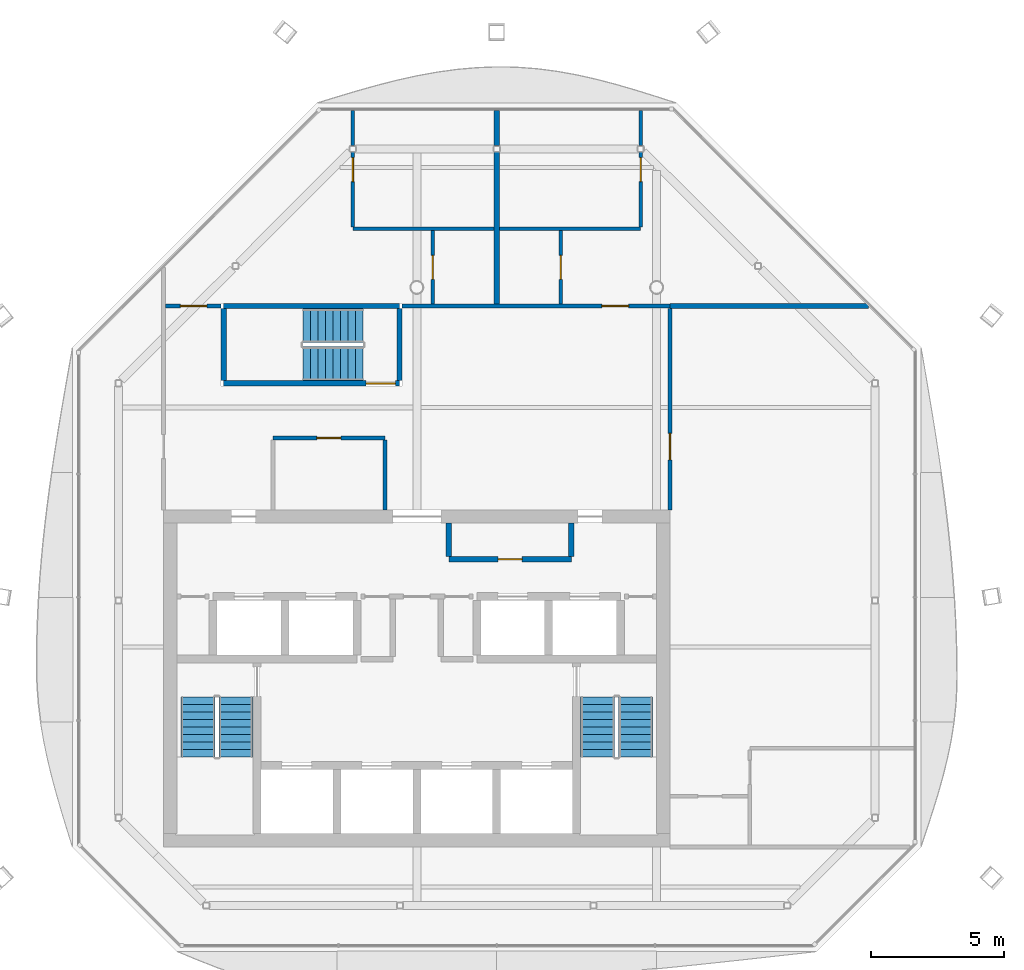
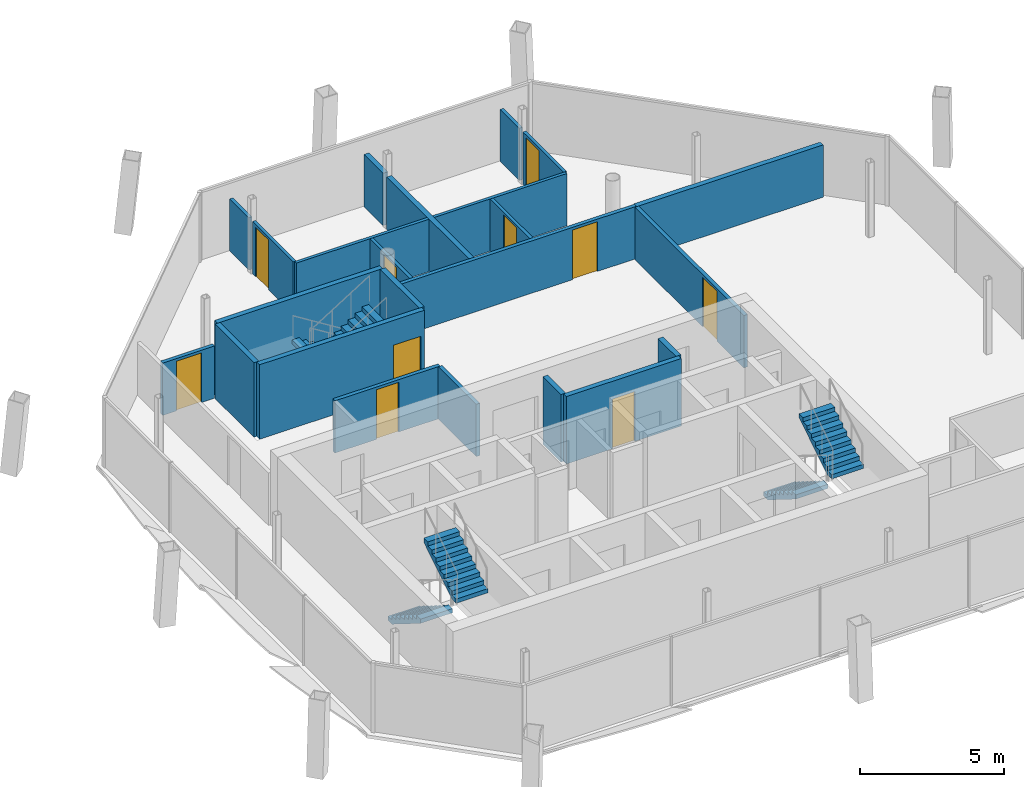
# One storey, part 10 of 13: 22 walls, 10 doors, 6 stair flights, 10 openings, 3 elements without a shape of their own.
"""IFC4 building model written with IfcOpenShell, lengths in metres."""

from ifc_helpers import new_model, si_unit, direction, frame, frame_2d, origin, place, context, subcontext, project, spatial, polyline, rectangle, outline, extrude, material, layer, layer_set, type_object, element, fill, aggregate, save


model = new_model("IFC4")

# Units and contexts
model_context = context("Model", 3, precision=1e-05, world=origin(), true_north=direction((0.0, 1.0)))
body_context = subcontext(model_context, "Body", "Model", "MODEL_VIEW")
ifc_project = project(units=[si_unit("LENGTHUNIT", "METRE"), si_unit("AREAUNIT", "SQUARE_METRE"), si_unit("VOLUMEUNIT", "CUBIC_METRE"), si_unit("PLANEANGLEUNIT", "RADIAN"), si_unit("MASSUNIT", "GRAM", prefix="KILO")], contexts=[model_context])

# Site, building, storey
site_placement = place(None, origin())
site = spatial("IfcSite", under=ifc_project, at=site_placement, CompositionType="ELEMENT")
building_placement = place(site_placement, origin())
building = spatial("IfcBuilding", under=site, at=building_placement, Name="Tskaro Facet Tower", CompositionType="ELEMENT")
storey_placement = place(building_placement, frame((0.0, 0.0, 281.550048828125)))
storey = spatial("IfcBuildingStorey", under=building, at=storey_placement, Name="L75", CompositionType="ELEMENT", Elevation=281.550048828125)

# Wall, opening, door
ifc_material_1 = material(Name="Concrete C20/25", Category="concrete")
ifc_layer_1 = layer(ifc_material_1, 0.199951171875, Name="Concrete C20/25")
ifc_layer_set_1 = layer_set([ifc_layer_1], Name="Concrete C20/25")
wall_type_1 = type_object("IfcWallType", Name="CORE-WALL", PredefinedType="SOLIDWALL", material=ifc_layer_set_1)
wall_1_placement = place(storey_placement, frame((1.199951171875, -1.199951171875, 0.0), z_axis=(0.0, 0.0, 1.0), x_axis=(1.0, 0.0, 0.0)))
wall_1 = element("IfcWall", 1, at=wall_1_placement, inside=storey, type_object=wall_type_1, Name="Core room wall W014", PredefinedType="SOLIDWALL", context=body_context, shape_type="SweptSolid", body=[
    extrude(rectangle(XDim=4.60009765625, YDim=0.199951171875, at=frame_2d((2.300048828125, 0.0))), origin(), (0.0, 0.0, 1.0), 2.849853515625),
])
opening_1_placement = place(wall_1_placement, frame((1.85009765625, 0.0, 0.0)))
opening_1 = element("IfcOpeningElement", 2, at=opening_1_placement, cuts=wall_1, Name="Opening T22-D07", PredefinedType="OPENING", context=body_context, shape_type="SweptSolid", body=[
    extrude(rectangle(XDim=0.89990234375, YDim=2.10009765625, at=frame_2d((0.449951171875, 1.050048828125))), frame((0.0, 0.10986328125, 0.0), z_axis=(0.0, -1.0, 0.0), x_axis=(1.0, 0.0, 0.0)), (0.0, 0.0, 1.0), 0.219970703125),
])
ifc_material_2 = material(Name="Timber", Category="wood")
door_type_1 = type_object("IfcDoorType", Name="D-ROOM", OperationType="NOTDEFINED", PredefinedType="DOOR", material=ifc_material_2)
door_1_placement = place(opening_1_placement, origin())
door_1 = element("IfcDoor", 3, at=door_1_placement, inside=storey, type_object=door_type_1, Name="Door T22-D07", OperationType="SINGLE_SWING_LEFT", OverallHeight=2.10009765625, OverallWidth=0.89990234375, PredefinedType="DOOR", context=body_context, shape_type="SweptSolid", body=[
    extrude(rectangle(XDim=0.89990234375, YDim=2.10009765625, at=frame_2d((0.449951171875, 1.050048828125))), frame((0.0, 0.02490234375, 0.0), z_axis=(0.0, -1.0, 0.0), x_axis=(1.0, 0.0, 0.0)), (0.0, 0.0, 1.0), 0.050048828125),
])
fill(opening_1, door_1)

# Walls
for number, where, z_axis, x_axis, name in (
    (4, (1.199951171875, -1.10009765625, 0.0), (0.0, 0.0, 1.0), (0.0, 1.0, 0.0), "Core room wall W038"),
    (5, (5.800048828125, -1.10009765625, 0.0), (0.0, 0.0, 1.0), (0.0, 1.0, 0.0), "Core room wall W045"),
):
    element("IfcWall", number, at=place(storey_placement, frame(where, z_axis=z_axis, x_axis=x_axis)), inside=storey, type_object=wall_type_1, Name=name, PredefinedType="SOLIDWALL", context=body_context, shape_type="SweptSolid", body=[
        extrude(rectangle(XDim=1.25, YDim=0.199951171875, at=frame_2d((0.625, 0.0))), origin(), (0.0, 0.0, 1.0), 2.849853515625),
    ])
ifc_material_3 = material(Name="Gypsum board on steel studs", Category="steel")
ifc_layer_2 = layer(ifc_material_3, 0.125, Name="Gypsum board on steel studs")
ifc_layer_set_2 = layer_set([ifc_layer_2], Name="Gypsum board on steel studs")
wall_type_2 = type_object("IfcWallType", Name="PART", PredefinedType="PARTITIONING", material=ifc_layer_set_2)
wall_2_placement = place(storey_placement, frame((-2.39990234375, 11.199951171875, 0.0), z_axis=(0.0, 0.0, 1.0), x_axis=(1.0, 0.0, 0.0)))
element("IfcWall", 6, at=wall_2_placement, inside=storey, type_object=wall_type_2, Name="Partition W021", PredefinedType="PARTITIONING", context=body_context, shape_type="SweptSolid", body=[
    extrude(rectangle(XDim=10.804931640625, YDim=0.125, at=frame_2d((5.40234375, 0.0))), origin(), (0.0, 0.0, 1.0), 2.2099609375),
])

# Wall, opening, door
wall_3_placement = place(storey_placement, frame((-2.39990234375, 14.074951171875, 0.0), z_axis=(0.0, 0.0, 1.0), x_axis=(0.0, -1.0, 0.0)))
wall_3 = element("IfcWall", 7, at=wall_3_placement, inside=storey, type_object=wall_type_2, Name="Partition W029", PredefinedType="PARTITIONING", context=body_context, shape_type="SweptSolid", body=[
    extrude(rectangle(XDim=2.8125, YDim=0.125, at=frame_2d((1.40625, 0.0))), origin(), (0.0, 0.0, 1.0), 2.2099609375),
])
opening_2_placement = place(wall_3_placement, frame((0.200927734375, 0.0, 0.0)))
opening_2 = element("IfcOpeningElement", 8, at=opening_2_placement, cuts=wall_3, Name="Opening T22-D18", PredefinedType="OPENING", context=body_context, shape_type="SweptSolid", body=[
    extrude(rectangle(XDim=0.89990234375, YDim=2.10009765625, at=frame_2d((0.449951171875, 1.050048828125))), frame((0.0, 0.072509765625, 0.0), z_axis=(0.0, -1.0, 0.0), x_axis=(1.0, 0.0, 0.0)), (0.0, 0.0, 1.0), 0.14501953125),
])
door_2_placement = place(opening_2_placement, origin())
door_2 = element("IfcDoor", 9, at=door_2_placement, inside=storey, type_object=door_type_1, Name="Door T22-D18", OperationType="SINGLE_SWING_RIGHT", OverallHeight=2.10009765625, OverallWidth=0.89990234375, PredefinedType="DOOR", context=body_context, shape_type="SweptSolid", body=[
    extrude(rectangle(XDim=0.89990234375, YDim=2.10009765625, at=frame_2d((0.449951171875, 1.050048828125))), frame((0.0, 0.02490234375, 0.0), z_axis=(0.0, -1.0, 0.0), x_axis=(1.0, 0.0, 0.0)), (0.0, 0.0, 1.0), 0.050048828125),
])
fill(opening_2, door_2)

# Wall
wall_4_placement = place(storey_placement, frame((-2.39990234375, 14.324951171875, 0.0), z_axis=(0.0, 0.0, 1.0), x_axis=(0.0, 1.0, 0.0)))
element("IfcWall", 10, at=wall_4_placement, inside=storey, type_object=wall_type_2, Name="Partition W030", PredefinedType="PARTITIONING", context=body_context, shape_type="SweptSolid", body=[
    extrude(rectangle(XDim=1.322998046875, YDim=0.125, at=frame_2d((0.66162109375, 0.0))), origin(), (0.0, 0.0, 1.0), 2.2099609375),
])

# Wall, opening, door
wall_5_placement = place(storey_placement, frame((0.60009765625, 11.137451171875, 0.0), z_axis=(0.0, 0.0, 1.0), x_axis=(0.0, -1.0, 0.0)))
wall_5 = element("IfcWall", 11, at=wall_5_placement, inside=storey, type_object=wall_type_2, Name="Partition W036", PredefinedType="PARTITIONING", context=body_context, shape_type="SweptSolid", body=[
    extrude(rectangle(XDim=2.762451171875, YDim=0.125, at=frame_2d((1.38134765625, 0.0))), origin(), (0.0, 0.0, 1.0), 2.2099609375),
])
opening_3_placement = place(wall_5_placement, frame((0.9375, 0.0, 0.0)))
opening_3 = element("IfcOpeningElement", 12, at=opening_3_placement, cuts=wall_5, Name="Opening T22-D16", PredefinedType="OPENING", context=body_context, shape_type="SweptSolid", body=[
    extrude(rectangle(XDim=0.89990234375, YDim=2.10009765625, at=frame_2d((0.449951171875, 1.050048828125))), frame((0.0, 0.072509765625, 0.0), z_axis=(0.0, -1.0, 0.0), x_axis=(1.0, 0.0, 0.0)), (0.0, 0.0, 1.0), 0.14501953125),
])
door_3_placement = place(opening_3_placement, origin())
door_3 = element("IfcDoor", 13, at=door_3_placement, inside=storey, type_object=door_type_1, Name="Door T22-D16", OperationType="SINGLE_SWING_RIGHT", OverallHeight=2.10009765625, OverallWidth=0.89990234375, PredefinedType="DOOR", context=body_context, shape_type="SweptSolid", body=[
    extrude(rectangle(XDim=0.89990234375, YDim=2.10009765625, at=frame_2d((0.449951171875, 1.050048828125))), frame((0.0, 0.02490234375, 0.0), z_axis=(0.0, -1.0, 0.0), x_axis=(1.0, 0.0, 0.0)), (0.0, 0.0, 1.0), 0.050048828125),
])
fill(opening_3, door_3)

wall_6_placement = place(storey_placement, frame((5.39990234375, 8.375, 0.0), z_axis=(0.0, 0.0, 1.0), x_axis=(0.0, 1.0, 0.0)))
wall_6 = element("IfcWall", 14, at=wall_6_placement, inside=storey, type_object=wall_type_2, Name="Partition W044", PredefinedType="PARTITIONING", context=body_context, shape_type="SweptSolid", body=[
    extrude(rectangle(XDim=2.762451171875, YDim=0.125, at=frame_2d((1.38134765625, 0.0))), origin(), (0.0, 0.0, 1.0), 2.2099609375),
])
opening_4_placement = place(wall_6_placement, frame((0.925048828125, 0.0, 0.0)))
opening_4 = element("IfcOpeningElement", 15, at=opening_4_placement, cuts=wall_6, Name="Opening T22-D17", PredefinedType="OPENING", context=body_context, shape_type="SweptSolid", body=[
    extrude(rectangle(XDim=0.89990234375, YDim=2.10009765625, at=frame_2d((0.449951171875, 1.050048828125))), frame((0.0, 0.072509765625, 0.0), z_axis=(0.0, -1.0, 0.0), x_axis=(1.0, 0.0, 0.0)), (0.0, 0.0, 1.0), 0.14501953125),
])
door_4_placement = place(opening_4_placement, origin())
door_4 = element("IfcDoor", 16, at=door_4_placement, inside=storey, type_object=door_type_1, Name="Door T22-D17", OperationType="SINGLE_SWING_LEFT", OverallHeight=2.10009765625, OverallWidth=0.89990234375, PredefinedType="DOOR", context=body_context, shape_type="SweptSolid", body=[
    extrude(rectangle(XDim=0.89990234375, YDim=2.10009765625, at=frame_2d((0.449951171875, 1.050048828125))), frame((0.0, 0.02490234375, 0.0), z_axis=(0.0, -1.0, 0.0), x_axis=(1.0, 0.0, 0.0)), (0.0, 0.0, 1.0), 0.050048828125),
])
fill(opening_4, door_4)

wall_7_placement = place(storey_placement, frame((8.405029296875, 11.262451171875, 0.0), z_axis=(0.0, 0.0, 1.0), x_axis=(0.0, 1.0, 0.0)))
wall_7 = element("IfcWall", 17, at=wall_7_placement, inside=storey, type_object=wall_type_2, Name="Partition W048", PredefinedType="PARTITIONING", context=body_context, shape_type="SweptSolid", body=[
    extrude(rectangle(XDim=2.8125, YDim=0.125, at=frame_2d((1.40625, 0.0))), origin(), (0.0, 0.0, 1.0), 2.2099609375),
])
opening_5_placement = place(wall_7_placement, frame((1.71142578125, 0.0, 0.0)))
opening_5 = element("IfcOpeningElement", 18, at=opening_5_placement, cuts=wall_7, Name="Opening T22-D19", PredefinedType="OPENING", context=body_context, shape_type="SweptSolid", body=[
    extrude(rectangle(XDim=0.89990234375, YDim=2.10009765625, at=frame_2d((0.449951171875, 1.050048828125))), frame((0.0, 0.072509765625, 0.0), z_axis=(0.0, -1.0, 0.0), x_axis=(1.0, 0.0, 0.0)), (0.0, 0.0, 1.0), 0.14501953125),
])
door_5_placement = place(opening_5_placement, origin())
door_5 = element("IfcDoor", 19, at=door_5_placement, inside=storey, type_object=door_type_1, Name="Door T22-D19", OperationType="SINGLE_SWING_LEFT", OverallHeight=2.10009765625, OverallWidth=0.89990234375, PredefinedType="DOOR", context=body_context, shape_type="SweptSolid", body=[
    extrude(rectangle(XDim=0.89990234375, YDim=2.10009765625, at=frame_2d((0.449951171875, 1.050048828125))), frame((0.0, 0.02490234375, 0.0), z_axis=(0.0, -1.0, 0.0), x_axis=(1.0, 0.0, 0.0)), (0.0, 0.0, 1.0), 0.050048828125),
])
fill(opening_5, door_5)

# Wall
wall_8_placement = place(storey_placement, frame((8.405029296875, 14.324951171875, 0.0), z_axis=(0.0, 0.0, 1.0), x_axis=(0.0, 1.0, 0.0)))
element("IfcWall", 20, at=wall_8_placement, inside=storey, type_object=wall_type_2, Name="Partition W049", PredefinedType="PARTITIONING", context=body_context, shape_type="SweptSolid", body=[
    extrude(rectangle(XDim=1.322998046875, YDim=0.125, at=frame_2d((0.66162109375, 0.0))), origin(), (0.0, 0.0, 1.0), 2.2099609375),
])

# Wall, opening, door
ifc_layer_3 = layer(ifc_material_3, 0.14990234375, Name="Gypsum board on steel studs")
ifc_layer_set_3 = layer_set([ifc_layer_3], Name="Gypsum board on steel studs")
wall_type_3 = type_object("IfcWallType", Name="PART-CORR", PredefinedType="PARTITIONING", material=ifc_layer_set_3)
wall_9_placement = place(storey_placement, frame((-1.199951171875, 3.35009765625, 0.0), z_axis=(0.0, 0.0, 1.0), x_axis=(-1.0, 0.0, 0.0)))
wall_9 = element("IfcWall", 21, at=wall_9_placement, inside=storey, type_object=wall_type_3, Name="Corridor wall W015", PredefinedType="PARTITIONING", context=body_context, shape_type="SweptSolid", body=[
    extrude(rectangle(XDim=4.199951171875, YDim=0.14990234375, at=frame_2d((2.10009765625, 0.0))), origin(), (0.0, 0.0, 1.0), 2.2099609375),
])
opening_6_placement = place(wall_9_placement, frame((1.64990234375, 0.0, 0.0)))
opening_6 = element("IfcOpeningElement", 22, at=opening_6_placement, cuts=wall_9, Name="Opening T22-D13", PredefinedType="OPENING", context=body_context, shape_type="SweptSolid", body=[
    extrude(rectangle(XDim=0.89990234375, YDim=2.10009765625, at=frame_2d((0.449951171875, 1.050048828125))), frame((0.0, 0.0849609375, 0.0), z_axis=(0.0, -1.0, 0.0), x_axis=(1.0, 0.0, 0.0)), (0.0, 0.0, 1.0), 0.169921875),
])
door_6_placement = place(opening_6_placement, origin())
door_6 = element("IfcDoor", 23, at=door_6_placement, inside=storey, type_object=door_type_1, Name="Door T22-D13", OperationType="SINGLE_SWING_RIGHT", OverallHeight=2.10009765625, OverallWidth=0.89990234375, PredefinedType="DOOR", context=body_context, shape_type="SweptSolid", body=[
    extrude(rectangle(XDim=0.89990234375, YDim=2.10009765625, at=frame_2d((0.449951171875, 1.050048828125))), frame((0.0, 0.02490234375, 0.0), z_axis=(0.0, -1.0, 0.0), x_axis=(1.0, 0.0, 0.0)), (0.0, 0.0, 1.0), 0.050048828125),
])
fill(opening_6, door_6)

wall_10_placement = place(storey_placement, frame((-9.425048828125, 8.300048828125, 0.0), z_axis=(0.0, 0.0, 1.0), x_axis=(1.0, 0.0, 0.0)))
wall_10 = element("IfcWall", 24, at=wall_10_placement, inside=storey, type_object=wall_type_3, Name="Corridor wall W017", PredefinedType="PARTITIONING", context=body_context, shape_type="SweptSolid", body=[
    extrude(rectangle(XDim=2.074951171875, YDim=0.14990234375, at=frame_2d((1.03759765625, 0.0))), origin(), (0.0, 0.0, 1.0), 2.2099609375),
])
opening_7_placement = place(wall_10_placement, frame((0.550048828125, 0.0, 0.0)))
opening_7 = element("IfcOpeningElement", 25, at=opening_7_placement, cuts=wall_10, Name="Opening T22-D14", PredefinedType="OPENING", context=body_context, shape_type="SweptSolid", body=[
    extrude(rectangle(XDim=1.0, YDim=2.10009765625, at=frame_2d((0.5, 1.050048828125))), frame((0.0, 0.0849609375, 0.0), z_axis=(0.0, -1.0, 0.0), x_axis=(1.0, 0.0, 0.0)), (0.0, 0.0, 1.0), 0.169921875),
])
door_type_2 = type_object("IfcDoorType", Name="D-FLAT-ENTRY", OperationType="NOTDEFINED", PredefinedType="DOOR", material=ifc_material_2)
door_7_placement = place(opening_7_placement, origin())
door_7 = element("IfcDoor", 26, at=door_7_placement, inside=storey, type_object=door_type_2, Name="Door T22-D14", OperationType="SINGLE_SWING_LEFT", OverallHeight=2.10009765625, OverallWidth=1.0, PredefinedType="DOOR", context=body_context, shape_type="SweptSolid", body=[
    extrude(rectangle(XDim=1.0, YDim=2.10009765625, at=frame_2d((0.5, 1.050048828125))), frame((0.0, 0.02490234375, 0.0), z_axis=(0.0, -1.0, 0.0), x_axis=(1.0, 0.0, 0.0)), (0.0, 0.0, 1.0), 0.050048828125),
])
fill(opening_7, door_7)

wall_11_placement = place(storey_placement, frame((-0.550048828125, 8.300048828125, 0.0), z_axis=(0.0, 0.0, 1.0), x_axis=(1.0, 0.0, 0.0)))
wall_11 = element("IfcWall", 27, at=wall_11_placement, inside=storey, type_object=wall_type_3, Name="Corridor wall W019", PredefinedType="PARTITIONING", context=body_context, shape_type="SweptSolid", body=[
    extrude(rectangle(XDim=10.050048828125, YDim=0.14990234375, at=frame_2d((5.02490234375, 0.0))), origin(), (0.0, 0.0, 1.0), 2.2099609375),
])
opening_8_placement = place(wall_11_placement, frame((7.5, 0.0, 0.0)))
opening_8 = element("IfcOpeningElement", 28, at=opening_8_placement, cuts=wall_11, Name="Opening T22-D15", PredefinedType="OPENING", context=body_context, shape_type="SweptSolid", body=[
    extrude(rectangle(XDim=1.0, YDim=2.10009765625, at=frame_2d((0.5, 1.050048828125))), frame((0.0, 0.0849609375, 0.0), z_axis=(0.0, -1.0, 0.0), x_axis=(1.0, 0.0, 0.0)), (0.0, 0.0, 1.0), 0.169921875),
])
door_8_placement = place(opening_8_placement, origin())
door_8 = element("IfcDoor", 29, at=door_8_placement, inside=storey, type_object=door_type_2, Name="Door T22-D15", OperationType="SINGLE_SWING_LEFT", OverallHeight=2.10009765625, OverallWidth=1.0, PredefinedType="DOOR", context=body_context, shape_type="SweptSolid", body=[
    extrude(rectangle(XDim=1.0, YDim=2.10009765625, at=frame_2d((0.5, 1.050048828125))), frame((0.0, 0.02490234375, 0.0), z_axis=(0.0, -1.0, 0.0), x_axis=(1.0, 0.0, 0.0)), (0.0, 0.0, 1.0), 0.050048828125),
])
fill(opening_8, door_8)

# Wall
wall_12_placement = place(storey_placement, frame((-1.199951171875, 0.64990234375, 0.0), z_axis=(0.0, 0.0, 1.0), x_axis=(0.0, 1.0, 0.0)))
element("IfcWall", 30, at=wall_12_placement, inside=storey, type_object=wall_type_3, Name="Corridor wall W032", PredefinedType="PARTITIONING", context=body_context, shape_type="SweptSolid", body=[
    extrude(rectangle(XDim=2.625, YDim=0.14990234375, at=frame_2d((1.3125, 0.0))), origin(), (0.0, 0.0, 1.0), 2.2099609375),
])

# Wall, opening, door
wall_13_placement = place(storey_placement, frame((9.5, 8.199951171875, 0.0), z_axis=(0.0, 0.0, 1.0), x_axis=(0.0, -1.0, 0.0)))
wall_13 = element("IfcWall", 31, at=wall_13_placement, inside=storey, type_object=wall_type_3, Name="Corridor wall W050", PredefinedType="PARTITIONING", context=body_context, shape_type="SweptSolid", body=[
    extrude(rectangle(XDim=7.550048828125, YDim=0.14990234375, at=frame_2d((3.77490234375, 0.0))), origin(), (0.0, 0.0, 1.0), 2.2099609375),
])
opening_9_placement = place(wall_13_placement, frame((4.675048828125, 0.0, 0.0)))
opening_9 = element("IfcOpeningElement", 32, at=opening_9_placement, cuts=wall_13, Name="Opening T22-D12", PredefinedType="OPENING", context=body_context, shape_type="SweptSolid", body=[
    extrude(rectangle(XDim=1.0, YDim=2.10009765625, at=frame_2d((0.5, 1.050048828125))), frame((0.0, 0.0849609375, 0.0), z_axis=(0.0, -1.0, 0.0), x_axis=(1.0, 0.0, 0.0)), (0.0, 0.0, 1.0), 0.169921875),
])
door_9_placement = place(opening_9_placement, origin())
door_9 = element("IfcDoor", 33, at=door_9_placement, inside=storey, type_object=door_type_2, Name="Door T22-D12", OperationType="SINGLE_SWING_LEFT", OverallHeight=2.10009765625, OverallWidth=1.0, PredefinedType="DOOR", context=body_context, shape_type="SweptSolid", body=[
    extrude(rectangle(XDim=1.0, YDim=2.10009765625, at=frame_2d((0.5, 1.050048828125))), frame((0.0, 0.02490234375, 0.0), z_axis=(0.0, -1.0, 0.0), x_axis=(1.0, 0.0, 0.0)), (0.0, 0.0, 1.0), 0.050048828125),
])
fill(opening_9, door_9)

# Walls
ifc_layer_4 = layer(ifc_material_3, 0.199951171875, Name="Gypsum board on steel studs")
ifc_layer_set_4 = layer_set([ifc_layer_4], Name="Gypsum board on steel studs")
wall_type_4 = type_object("IfcWallType", Name="PART-DEMISING", PredefinedType="PARTITIONING", material=ifc_layer_set_4)
wall_14_placement = place(storey_placement, frame((9.5, 8.300048828125, 0.0), z_axis=(0.0, 0.0, 1.0), x_axis=(1.0, 0.0, 0.0)))
element("IfcWall", 34, at=wall_14_placement, inside=storey, type_object=wall_type_4, Name="Guest room wall W020", PredefinedType="PARTITIONING", context=body_context, shape_type="SweptSolid", body=[
    extrude(rectangle(XDim=7.4541015625, YDim=0.199951171875, at=frame_2d((3.72705078125, 0.0))), origin(), (0.0, 0.0, 1.0), 2.2099609375),
])
wall_15_placement = place(storey_placement, frame((3.0, 8.375, 0.0), z_axis=(0.0, 0.0, 1.0), x_axis=(0.0, 1.0, 0.0)))
element("IfcWall", 35, at=wall_15_placement, inside=storey, type_object=wall_type_4, Name="Guest room wall W041", PredefinedType="PARTITIONING", context=body_context, shape_type="SweptSolid", body=[
    extrude(rectangle(XDim=5.699951171875, YDim=0.199951171875, at=frame_2d((2.85009765625, 0.0))), origin(), (0.0, 0.0, 1.0), 2.2099609375),
])
wall_16_placement = place(storey_placement, frame((3.0, 14.324951171875, 0.0), z_axis=(0.0, 0.0, 1.0), x_axis=(0.0, 1.0, 0.0)))
element("IfcWall", 36, at=wall_16_placement, inside=storey, type_object=wall_type_4, Name="Guest room wall W042", PredefinedType="PARTITIONING", context=body_context, shape_type="SweptSolid", body=[
    extrude(rectangle(XDim=1.322998046875, YDim=0.199951171875, at=frame_2d((0.66162109375, 0.0))), origin(), (0.0, 0.0, 1.0), 2.2099609375),
])

# Wall, opening, door
ifc_material_4 = material(Name="Concrete C60/75", Category="concrete")
ifc_layer_5 = layer(ifc_material_4, 0.199951171875, Name="Concrete C60/75")
ifc_layer_set_5 = layer_set([ifc_layer_5], Name="Concrete C60/75")
wall_type_5 = type_object("IfcWallType", Name="STAIR-WALL", PredefinedType="SHEAR", material=ifc_layer_set_5)
wall_17_placement = place(storey_placement, frame((-7.25, 5.39990234375, 0.0), z_axis=(0.0, 0.0, 1.0), x_axis=(1.0, 0.0, 0.0)))
wall_17 = element("IfcWall", 37, at=wall_17_placement, inside=storey, type_object=wall_type_5, Name="Stair wall W016", PredefinedType="SHEAR", context=body_context, shape_type="SweptSolid", body=[
    extrude(rectangle(XDim=6.60009765625, YDim=0.199951171875, at=frame_2d((3.300048828125, 0.0))), origin(), (0.0, 0.0, 1.0), 3.14990234375),
])
opening_10_placement = place(wall_17_placement, frame((5.35009765625, 0.0, 0.0)))
opening_10 = element("IfcOpeningElement", 38, at=opening_10_placement, cuts=wall_17, Name="Opening ST-3-D1", PredefinedType="OPENING", context=body_context, shape_type="SweptSolid", body=[
    extrude(rectangle(XDim=1.10009765625, YDim=2.10009765625, at=frame_2d((0.550048828125, 1.050048828125))), frame((0.0, 0.10986328125, 0.0), z_axis=(0.0, -1.0, 0.0), x_axis=(1.0, 0.0, 0.0)), (0.0, 0.0, 1.0), 0.219970703125),
])
ifc_material_5 = material(Name="Steel", Category="steel")
door_type_3 = type_object("IfcDoorType", Name="D-STAIR", OperationType="NOTDEFINED", PredefinedType="DOOR", material=ifc_material_5)
door_10_placement = place(opening_10_placement, origin())
door_10 = element("IfcDoor", 39, at=door_10_placement, inside=storey, type_object=door_type_3, Name="Stair door 3", OperationType="SINGLE_SWING_LEFT", OverallHeight=2.10009765625, OverallWidth=1.10009765625, PredefinedType="DOOR", context=body_context, shape_type="SweptSolid", body=[
    extrude(rectangle(XDim=1.10009765625, YDim=2.10009765625, at=frame_2d((0.550048828125, 1.050048828125))), frame((0.0, 0.02490234375, 0.0), z_axis=(0.0, -1.0, 0.0), x_axis=(1.0, 0.0, 0.0)), (0.0, 0.0, 1.0), 0.050048828125),
])
fill(opening_10, door_10)

# Walls
wall_18_placement = place(storey_placement, frame((-7.25, 8.300048828125, 0.0), z_axis=(0.0, 0.0, 1.0), x_axis=(1.0, 0.0, 0.0)))
element("IfcWall", 40, at=wall_18_placement, inside=storey, type_object=wall_type_5, Name="Stair wall W018", PredefinedType="SHEAR", context=body_context, shape_type="SweptSolid", body=[
    extrude(rectangle(XDim=6.60009765625, YDim=0.199951171875, at=frame_2d((3.300048828125, 0.0))), origin(), (0.0, 0.0, 1.0), 3.14990234375),
])
for number, where, z_axis, x_axis, name in (
    (41, (-7.25, 5.5, 0.0), (0.0, 0.0, 1.0), (0.0, 1.0, 0.0), "Stair wall W024"),
    (42, (-0.64990234375, 5.5, 0.0), (0.0, 0.0, 1.0), (0.0, 1.0, 0.0), "Stair wall W034"),
):
    element("IfcWall", number, at=place(storey_placement, frame(where, z_axis=z_axis, x_axis=x_axis)), inside=storey, type_object=wall_type_5, Name=name, PredefinedType="SHEAR", context=body_context, shape_type="SweptSolid", body=[
        extrude(rectangle(XDim=2.699951171875, YDim=0.199951171875, at=frame_2d((1.35009765625, 0.0))), origin(), (0.0, 0.0, 1.0), 3.14990234375),
    ])

# Stair, stair flights
ifc_material_6 = material(Name="Concrete C40/50", Category="concrete")
stair_type = type_object("IfcStairType", Name="ST-TWR", PredefinedType="HALF_TURN_STAIR", material=ifc_material_6)
stair_1_placement = place(storey_placement, origin())
stair_1 = element("IfcStair", 43, at=stair_1_placement, inside=storey, type_object=stair_type, Name="L75 Exit stair 1", PredefinedType="HALF_TURN_STAIR")
stair_flight_type = type_object("IfcStairFlightType", Name="SFL-RC", PredefinedType="STRAIGHT", material=ifc_material_6)
stair_flight_1_placement = place(storey_placement, frame((-8.21240234375, -6.375, 0.0), z_axis=(0.0, 0.0, 1.0), x_axis=(0.0, -1.0, 0.0)))
stair_flight_1 = element("IfcStairFlight", 44, at=stair_flight_1_placement, type_object=stair_flight_type, Name="ST-1 flight 1", NumberOfRisers=9, NumberOfTreads=8, PredefinedType="STRAIGHT", RiserHeight=0.175, TreadLength=0.28, context=body_context, shape_type="SweptSolid", body=[
    extrude(outline(polyline([(0.0, 0.0), (0.0, 0.175048828125), (0.280029296875, 0.175048828125), (0.280029296875, 0.35009765625), (0.56005859375, 0.35009765625), (0.56005859375, 0.52490234375), (0.840087890625, 0.52490234375), (0.840087890625, 0.699951171875), (1.1201171875, 0.699951171875), (1.1201171875, 0.875), (1.39990234375, 0.875), (1.39990234375, 1.050048828125), (1.679931640625, 1.050048828125), (1.679931640625, 1.22509765625), (1.9599609375, 1.22509765625), (1.9599609375, 1.39990234375), (2.239990234375, 1.39990234375), (2.239990234375, 1.574951171875), (2.239990234375, 1.22314453125), (0.28271484375, 0.0), (0.0, 0.0)])), frame((0.0, 0.637451171875, 0.0), z_axis=(0.0, -1.0, 0.0), x_axis=(1.0, 0.0, 0.0)), (0.0, 0.0, 1.0), 1.27490234375),
])
stair_flight_2_placement = place(storey_placement, frame((-6.78759765625, -8.614990234375, 1.574951171875), z_axis=(0.0, 0.0, 1.0), x_axis=(0.0, 1.0, 0.0)))
stair_flight_2 = element("IfcStairFlight", 45, at=stair_flight_2_placement, type_object=stair_flight_type, Name="ST-1 flight 2", NumberOfRisers=9, NumberOfTreads=8, PredefinedType="STRAIGHT", RiserHeight=0.175, TreadLength=0.28, context=body_context, shape_type="SweptSolid", body=[
    extrude(outline(polyline([(0.0, 0.0), (0.0, 0.175048828125), (0.280029296875, 0.175048828125), (0.280029296875, 0.35009765625), (0.56005859375, 0.35009765625), (0.56005859375, 0.52490234375), (0.840087890625, 0.52490234375), (0.840087890625, 0.699951171875), (1.1201171875, 0.699951171875), (1.1201171875, 0.875), (1.39990234375, 0.875), (1.39990234375, 1.050048828125), (1.679931640625, 1.050048828125), (1.679931640625, 1.22509765625), (1.9599609375, 1.22509765625), (1.9599609375, 1.39990234375), (2.239990234375, 1.39990234375), (2.239990234375, 1.574951171875), (2.239990234375, 1.22314453125), (0.28271484375, 0.0), (0.0, 0.0)])), frame((0.0, 0.637451171875, 0.0), z_axis=(0.0, -1.0, 0.0), x_axis=(1.0, 0.0, 0.0)), (0.0, 0.0, 1.0), 1.27490234375),
])
aggregate(stair_1, [stair_flight_1, stair_flight_2])

stair_2_placement = place(storey_placement, origin())
stair_2 = element("IfcStair", 46, at=stair_2_placement, inside=storey, type_object=stair_type, Name="L75 Exit stair 2", PredefinedType="HALF_TURN_STAIR")
stair_flight_3_placement = place(storey_placement, frame((6.78759765625, -6.375, 0.0), z_axis=(0.0, 0.0, 1.0), x_axis=(0.0, -1.0, 0.0)))
stair_flight_3 = element("IfcStairFlight", 47, at=stair_flight_3_placement, type_object=stair_flight_type, Name="ST-2 flight 1", NumberOfRisers=9, NumberOfTreads=8, PredefinedType="STRAIGHT", RiserHeight=0.175, TreadLength=0.28, context=body_context, shape_type="SweptSolid", body=[
    extrude(outline(polyline([(0.0, 0.0), (0.0, 0.175048828125), (0.280029296875, 0.175048828125), (0.280029296875, 0.35009765625), (0.56005859375, 0.35009765625), (0.56005859375, 0.52490234375), (0.840087890625, 0.52490234375), (0.840087890625, 0.699951171875), (1.1201171875, 0.699951171875), (1.1201171875, 0.875), (1.39990234375, 0.875), (1.39990234375, 1.050048828125), (1.679931640625, 1.050048828125), (1.679931640625, 1.22509765625), (1.9599609375, 1.22509765625), (1.9599609375, 1.39990234375), (2.239990234375, 1.39990234375), (2.239990234375, 1.574951171875), (2.239990234375, 1.22314453125), (0.28271484375, 0.0), (0.0, 0.0)])), frame((0.0, 0.637451171875, 0.0), z_axis=(0.0, -1.0, 0.0), x_axis=(1.0, 0.0, 0.0)), (0.0, 0.0, 1.0), 1.27490234375),
])
stair_flight_4_placement = place(storey_placement, frame((8.21240234375, -8.614990234375, 1.574951171875), z_axis=(0.0, 0.0, 1.0), x_axis=(0.0, 1.0, 0.0)))
stair_flight_4 = element("IfcStairFlight", 48, at=stair_flight_4_placement, type_object=stair_flight_type, Name="ST-2 flight 2", NumberOfRisers=9, NumberOfTreads=8, PredefinedType="STRAIGHT", RiserHeight=0.175, TreadLength=0.28, context=body_context, shape_type="SweptSolid", body=[
    extrude(outline(polyline([(0.0, 0.0), (0.0, 0.175048828125), (0.280029296875, 0.175048828125), (0.280029296875, 0.35009765625), (0.56005859375, 0.35009765625), (0.56005859375, 0.52490234375), (0.840087890625, 0.52490234375), (0.840087890625, 0.699951171875), (1.1201171875, 0.699951171875), (1.1201171875, 0.875), (1.39990234375, 0.875), (1.39990234375, 1.050048828125), (1.679931640625, 1.050048828125), (1.679931640625, 1.22509765625), (1.9599609375, 1.22509765625), (1.9599609375, 1.39990234375), (2.239990234375, 1.39990234375), (2.239990234375, 1.574951171875), (2.239990234375, 1.22314453125), (0.28271484375, 0.0), (0.0, 0.0)])), frame((0.0, 0.637451171875, 0.0), z_axis=(0.0, -1.0, 0.0), x_axis=(1.0, 0.0, 0.0)), (0.0, 0.0, 1.0), 1.27490234375),
])
aggregate(stair_2, [stair_flight_3, stair_flight_4])

stair_3_placement = place(storey_placement, origin())
stair_3 = element("IfcStair", 49, at=stair_3_placement, inside=storey, type_object=stair_type, Name="L75 Exit stair 3", PredefinedType="HALF_TURN_STAIR")
stair_flight_5_placement = place(storey_placement, frame((-2.02490234375, 7.5625, 0.0), z_axis=(0.0, 0.0, 1.0), x_axis=(-1.0, 0.0, 0.0)))
stair_flight_5 = element("IfcStairFlight", 50, at=stair_flight_5_placement, type_object=stair_flight_type, Name="ST-3 flight 1", NumberOfRisers=9, NumberOfTreads=8, PredefinedType="STRAIGHT", RiserHeight=0.175, TreadLength=0.28, context=body_context, shape_type="SweptSolid", body=[
    extrude(outline(polyline([(0.0, 0.0), (0.0, 0.175048828125), (0.280029296875, 0.175048828125), (0.280029296875, 0.35009765625), (0.56005859375, 0.35009765625), (0.56005859375, 0.52490234375), (0.840087890625, 0.52490234375), (0.840087890625, 0.699951171875), (1.1201171875, 0.699951171875), (1.1201171875, 0.875), (1.39990234375, 0.875), (1.39990234375, 1.050048828125), (1.679931640625, 1.050048828125), (1.679931640625, 1.22509765625), (1.9599609375, 1.22509765625), (1.9599609375, 1.39990234375), (2.239990234375, 1.39990234375), (2.239990234375, 1.574951171875), (2.239990234375, 1.22314453125), (0.28271484375, 0.0), (0.0, 0.0)])), frame((0.0, 0.637451171875, 0.0), z_axis=(0.0, -1.0, 0.0), x_axis=(1.0, 0.0, 0.0)), (0.0, 0.0, 1.0), 1.27490234375),
])
stair_flight_6_placement = place(storey_placement, frame((-4.264892578125, 6.137451171875, 1.574951171875), z_axis=(0.0, 0.0, 1.0), x_axis=(1.0, 0.0, 0.0)))
stair_flight_6 = element("IfcStairFlight", 51, at=stair_flight_6_placement, type_object=stair_flight_type, Name="ST-3 flight 2", NumberOfRisers=9, NumberOfTreads=8, PredefinedType="STRAIGHT", RiserHeight=0.175, TreadLength=0.28, context=body_context, shape_type="SweptSolid", body=[
    extrude(outline(polyline([(0.0, 0.0), (0.0, 0.175048828125), (0.280029296875, 0.175048828125), (0.280029296875, 0.35009765625), (0.56005859375, 0.35009765625), (0.56005859375, 0.52490234375), (0.840087890625, 0.52490234375), (0.840087890625, 0.699951171875), (1.1201171875, 0.699951171875), (1.1201171875, 0.875), (1.39990234375, 0.875), (1.39990234375, 1.050048828125), (1.679931640625, 1.050048828125), (1.679931640625, 1.22509765625), (1.9599609375, 1.22509765625), (1.9599609375, 1.39990234375), (2.239990234375, 1.39990234375), (2.239990234375, 1.574951171875), (2.239990234375, 1.22314453125), (0.28271484375, 0.0), (0.0, 0.0)])), frame((0.0, 0.637451171875, 0.0), z_axis=(0.0, -1.0, 0.0), x_axis=(1.0, 0.0, 0.0)), (0.0, 0.0, 1.0), 1.27490234375),
])
aggregate(stair_3, [stair_flight_5, stair_flight_6])

save(model, "model.ifc")
